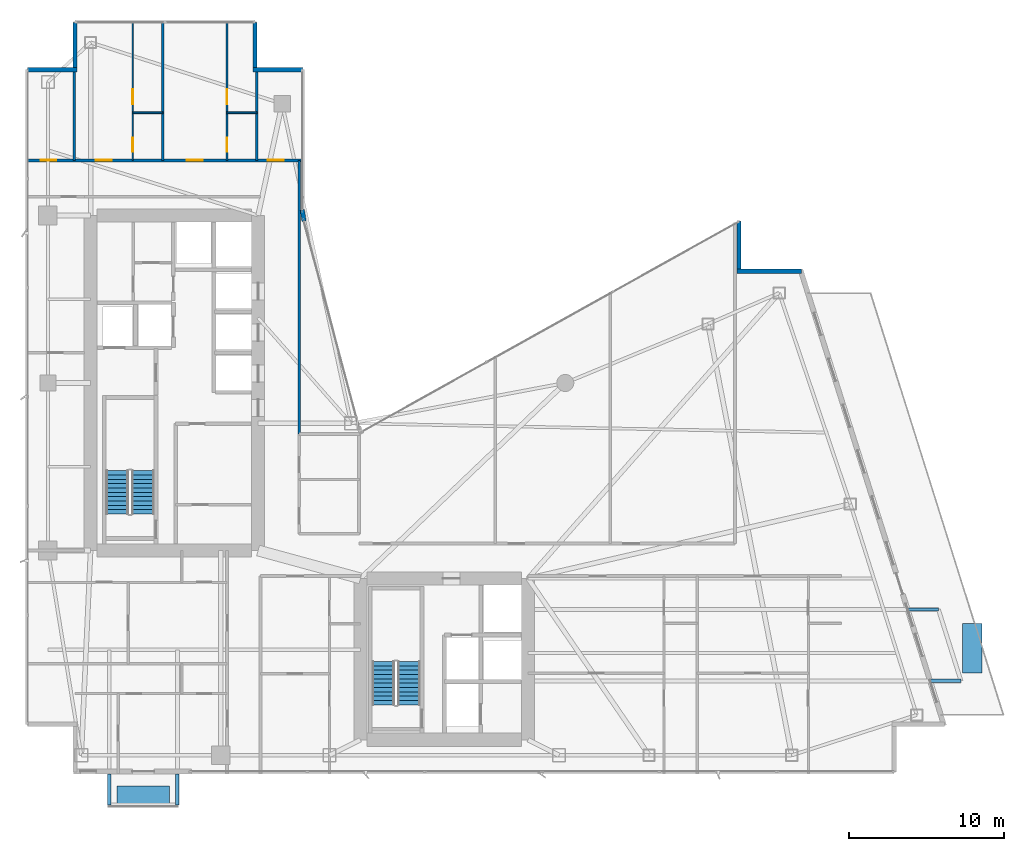
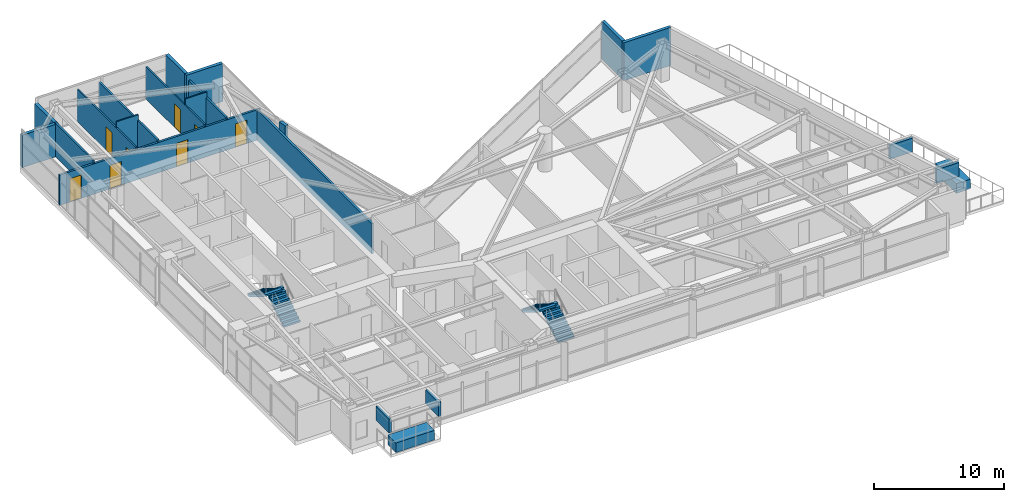
# One storey, part 25 of 28: 16 walls, 8 doors, 6 discrete accessories, 4 stair flights, 8 openings, 2 elements without a shape of their own.
"""IFC4 building model written with IfcOpenShell, lengths in metres."""

import ifcopenshell
import ifcopenshell.guid

model = None  # the IFC model being written
_history = None  # IfcOwnerHistory: only IFC2X3 demands one
_inside = {}  # id of a spatial element -> (the spatial element, [elements in it])
_under = {}  # id of a project, library or spatial element -> (it, [spatial elements below it])
_declared = {}  # id of a project -> (the project, [libraries it declares])
_typed = {}  # id of a type object -> (the type object, [elements of that type])
_made_of = {}  # id of a material, layer set ... -> (it, [elements and type objects made of it])


def new_model(schema):
    """Start an empty IFC model of exactly this schema.

    Asked for "IFC4X3", IfcOpenShell would pick the latest addendum, in which some entities
    have other attributes; the version numbers below select the first issue.
    IFC2X3 requires an IfcOwnerHistory on every rooted entity: one is made here for all.
    """
    global model, _history
    if schema == "IFC4X3":
        model = ifcopenshell.file(schema_version=(4, 3, 0, 0))
    else:
        model = ifcopenshell.file(schema=schema)
    _inside.clear()
    _under.clear()
    _declared.clear()
    _typed.clear()
    _made_of.clear()
    _history = None
    if model.schema == "IFC2X3":
        org = make("IfcOrganization", Name="unknown")
        user = make(
            "IfcPersonAndOrganization",
            ThePerson=make("IfcPerson", FamilyName="unknown"),
            TheOrganization=org,
        )
        app = make(
            "IfcApplication",
            ApplicationDeveloper=org,
            Version="unknown",
            ApplicationFullName="unknown",
            ApplicationIdentifier="unknown",
        )
        _history = make(
            "IfcOwnerHistory",
            OwningUser=user,
            OwningApplication=app,
            ChangeAction="ADDED",
            CreationDate=0,
        )
    return model


def make(cls, **values):
    """One entity of the class cls with the attributes given. An attribute that is None is left unset."""
    return model.create_entity(
        cls, **{name: value for name, value in values.items() if value is not None}
    )


def rooted(cls, **values):
    """An entity with a GlobalId (a new one), such as an element, a storey or a relation."""
    return make(cls, GlobalId=ifcopenshell.guid.new(), OwnerHistory=_history, **values)


def si_unit(unit_type, name, prefix=None):
    """IfcSIUnit, for example si_unit("LENGTHUNIT", "METRE", prefix="MILLI")."""
    return make("IfcSIUnit", UnitType=unit_type, Prefix=prefix, Name=name)


def assignment(units):
    """IfcUnitAssignment: the units of a project."""
    return None if units is None else make("IfcUnitAssignment", Units=units)


def point(xyz):
    """IfcCartesianPoint."""
    return None if xyz is None else make("IfcCartesianPoint", Coordinates=xyz)


def direction(xyz):
    """IfcDirection."""
    return None if xyz is None else make("IfcDirection", DirectionRatios=xyz)


def frame(location, z_axis=None, x_axis=None):
    """IfcAxis2Placement3D, a coordinate frame: its origin and axes. An axis left out is left unset."""
    return make(
        "IfcAxis2Placement3D",
        Location=point(location),
        Axis=direction(z_axis),
        RefDirection=direction(x_axis),
    )


def frame_2d(location, x_axis=None):
    """IfcAxis2Placement2D, a coordinate frame in the plane: its origin and x axis."""
    return make(
        "IfcAxis2Placement2D", Location=point(location), RefDirection=direction(x_axis)
    )


def origin():
    """The frame at (0, 0, 0) with its axes left unset."""
    return frame((0.0, 0.0, 0.0))


def origin_2d():
    """The frame at (0, 0) in the plane with its x axis left unset."""
    return frame_2d((0.0, 0.0))


def place(relative_to, where):
    """IfcLocalPlacement: puts the frame where relative to a parent placement (None: the world)."""
    return make(
        "IfcLocalPlacement", PlacementRelTo=relative_to, RelativePlacement=where
    )


def context(
    kind, dimensions, precision=None, world=None, true_north=None, identifier=None
):
    """IfcGeometricRepresentationContext, for example the 3D "Model" context."""
    return make(
        "IfcGeometricRepresentationContext",
        ContextIdentifier=identifier,
        ContextType=kind,
        CoordinateSpaceDimension=dimensions,
        Precision=precision,
        WorldCoordinateSystem=world,
        TrueNorth=true_north,
    )


def subcontext(parent, identifier, kind, view, scale=None):
    """IfcGeometricRepresentationSubContext, for example "Body" below "Model"."""
    return make(
        "IfcGeometricRepresentationSubContext",
        ContextIdentifier=identifier,
        ContextType=kind,
        ParentContext=parent,
        TargetScale=scale,
        TargetView=view,
    )


def project(units=None, contexts=None):
    """IfcProject with its units and contexts."""
    return rooted(
        "IfcProject",
        Name="project",
        RepresentationContexts=contexts,
        UnitsInContext=assignment(units),
    )


def spatial(cls, under=None, at=None, **own):
    """A site, building, storey or space (cls), placed at a placement, below another one or the project."""
    s = rooted(cls, ObjectPlacement=at, **own)
    if under is not None:
        _under.setdefault(under.id(), (under, []))[1].append(s)
    return s


def polyline(points):
    """IfcPolyline through the points."""
    return make("IfcPolyline", Points=[point(p) for p in points])


def profile(cls, at=None, kind="AREA", **sizes):
    """A parametric profile (cls). Its sizes go by their IFC names, for example OverallWidth=200.0."""
    return make(cls, ProfileType=kind, Position=at, **sizes)


def rectangle(**sizes):
    """IfcRectangleProfileDef."""
    return profile("IfcRectangleProfileDef", **sizes)


def outline(outer, holes=None, kind="AREA"):
    """IfcArbitraryClosedProfileDef: a profile drawn as a closed curve; with holes, ...WithVoids."""
    if holes is None:
        return make("IfcArbitraryClosedProfileDef", ProfileType=kind, OuterCurve=outer)
    return make(
        "IfcArbitraryProfileDefWithVoids",
        ProfileType=kind,
        OuterCurve=outer,
        InnerCurves=holes,
    )


def extrude(swept, where, along, depth):
    """IfcExtrudedAreaSolid: the profile swept, set in the frame where, extruded along a direction by depth."""
    return make(
        "IfcExtrudedAreaSolid",
        SweptArea=swept,
        Position=where,
        ExtrudedDirection=direction(along),
        Depth=depth,
    )


def shape(context_of_items, identifier, shape_type, items):
    """IfcShapeRepresentation: the items that make up one representation, for example the "Body"."""
    return make(
        "IfcShapeRepresentation",
        ContextOfItems=context_of_items,
        RepresentationIdentifier=identifier,
        RepresentationType=shape_type,
        Items=items,
    )


def material(Name=None, Category=None):
    """IfcMaterial."""
    return make("IfcMaterial", Name=Name, Category=Category)


def layer(
    of_material, thickness, ventilated=None, Name=None, Category=None, Priority=None
):
    """IfcMaterialLayer: one layer of a wall or slab, of a material (None: an air gap)."""
    return make(
        "IfcMaterialLayer",
        Material=of_material,
        LayerThickness=thickness,
        IsVentilated=ventilated,
        Name=Name,
        Category=Category,
        Priority=Priority,
    )


def layer_set(layers, Name=None):
    """IfcMaterialLayerSet."""
    return make("IfcMaterialLayerSet", MaterialLayers=layers, LayerSetName=Name)


def made_of(thing, what):
    """Note that an element or type object is made of a material, layer set ...; save() writes the relation."""
    if what is not None:
        _made_of.setdefault(what.id(), (what, []))[1].append(thing)
    return thing


def type_object(cls, material=None, **own):
    """A type object (cls), such as IfcWallType, which elements share."""
    return made_of(rooted(cls, **own), material)


def element(
    cls,
    number,
    at=None,
    inside=None,
    cuts=None,
    type_object=None,
    material=None,
    context=None,
    identifier="Body",
    shape_type=None,
    held_by="IfcProductDefinitionShape",
    body=None,
    shapes=None,
    **own,
):
    """One element of the class cls, such as IfcWall. Its Tag is "e" and its number.

    at: its placement. inside: the storey or other place that contains it. cuts: it is an
    opening in that element (IfcRelVoidsElement). A single representation is given by context,
    identifier, shape_type and body (its items); several are given by shapes. held_by: the class
    of the entity that holds the representations. save() writes the other relations.
    """
    e = rooted(cls, Tag="e%d" % number, ObjectPlacement=at, **own)
    if body is not None:
        shapes = [shape(context, identifier, shape_type, body)]
    if shapes is not None:
        e.Representation = make(held_by, Representations=shapes)
    if inside is not None:
        _inside.setdefault(inside.id(), (inside, []))[1].append(e)
    if cuts is not None:
        rooted(
            "IfcRelVoidsElement", RelatingBuildingElement=cuts, RelatedOpeningElement=e
        )
    if type_object is not None:
        _typed.setdefault(type_object.id(), (type_object, []))[1].append(e)
    return made_of(e, material)


def fill(opening, filler):
    """IfcRelFillsElement: the door or window that sits in an opening."""
    return rooted(
        "IfcRelFillsElement",
        RelatingOpeningElement=opening,
        RelatedBuildingElement=filler,
    )


def aggregate(whole, parts):
    """IfcRelAggregates: a whole, such as a stair, and the parts it consists of."""
    return rooted("IfcRelAggregates", RelatingObject=whole, RelatedObjects=parts)


def save(model, path):
    """Write the relations noted so far, then the file.

    IfcRelAggregates (storeys below a building ...), IfcRelContainedInSpatialStructure (elements
    in a storey), IfcRelDefinesByType, IfcRelAssociatesMaterial and IfcRelDeclares: one each for
    every whole, place, type object, material and project.
    """
    for whole, parts in _under.values():
        aggregate(whole, parts)
    for where, things in _inside.values():
        rooted(
            "IfcRelContainedInSpatialStructure",
            RelatedElements=things,
            RelatingStructure=where,
        )
    for kind, things in _typed.values():
        rooted("IfcRelDefinesByType", RelatedObjects=things, RelatingType=kind)
    for what, things in _made_of.values():
        rooted("IfcRelAssociatesMaterial", RelatedObjects=things, RelatingMaterial=what)
    for by, libraries in _declared.values():
        rooted("IfcRelDeclares", RelatingContext=by, RelatedDefinitions=libraries)
    model.write(path)


model = new_model("IFC4")

# Units and contexts
model_context = context("Model", 3, precision=1e-05, world=origin(), true_north=direction((0.0, 1.0)))
body_context = subcontext(model_context, "Body", "Model", "MODEL_VIEW")
ifc_project = project(units=[si_unit("LENGTHUNIT", "METRE"), si_unit("AREAUNIT", "SQUARE_METRE"), si_unit("VOLUMEUNIT", "CUBIC_METRE"), si_unit("PLANEANGLEUNIT", "RADIAN"), si_unit("MASSUNIT", "GRAM", prefix="KILO")], contexts=[model_context])

# Site, building, storey
site_placement = place(None, origin())
site = spatial("IfcSite", under=ifc_project, at=site_placement, CompositionType="ELEMENT")
building_placement = place(site_placement, origin())
building = spatial("IfcBuilding", under=site, at=building_placement, Name="Calvorn Quay Hotel", CompositionType="ELEMENT")
storey_placement = place(building_placement, frame((0.0, 0.0, 97.39990234375)))
storey = spatial("IfcBuildingStorey", under=building, at=storey_placement, Name="L23", CompositionType="ELEMENT", Elevation=97.39990234375)

# Wall, openings, doors
ifc_material_1 = material(Name="Acoustic Fireboard Steel-Stud Partition", Category="steel")
ifc_layer_1 = layer(ifc_material_1, 0.179931640625)
ifc_layer_set_1 = layer_set([ifc_layer_1], Name="WL-CORR-FIRE-180")
wall_type_1 = type_object("IfcWallType", Name="WL-CORR-FIRE-180", PredefinedType="PARTITIONING", material=ifc_layer_set_1)
wall_1_placement = place(storey_placement, frame((0.080078125, 41.949951171875, 0.0), z_axis=(0.0, 0.0, 1.0), x_axis=(1.0, 0.0, 0.0)))
wall_1 = element("IfcWall", 1, at=wall_1_placement, inside=storey, type_object=wall_type_1, Name="Partition Wall L23-WL-CORR-NW-N", PredefinedType="PARTITIONING", context=body_context, shape_type="SweptSolid", body=[
    extrude(rectangle(XDim=17.77001953125, YDim=0.179931640625, at=frame_2d((8.885009765625, 0.0))), origin(), (0.0, 0.0, 1.0), 2.840087890625),
])
opening_1_placement = place(wall_1_placement, frame((0.89990234375, 0.0, 0.0)))
opening_1 = element("IfcOpeningElement", 2, at=opening_1_placement, cuts=wall_1, Name="Opening D-L23-NWW", PredefinedType="OPENING", context=body_context, shape_type="SweptSolid", body=[
    extrude(rectangle(XDim=1.02001953125, YDim=2.199951171875, at=frame_2d((0.510009765625, 1.10009765625))), frame((0.0, 0.099853515625, 0.0), z_axis=(0.0, -1.0, 0.0), x_axis=(1.0, 0.0, 0.0)), (0.0, 0.0, 1.0), 0.199951171875),
])
opening_2_placement = place(wall_1_placement, frame((4.449951171875, 0.0, 0.0)))
opening_2 = element("IfcOpeningElement", 3, at=opening_2_placement, cuts=wall_1, Name="Opening D-L23-U04", PredefinedType="OPENING", context=body_context, shape_type="SweptSolid", body=[
    extrude(rectangle(XDim=1.02001953125, YDim=2.199951171875, at=frame_2d((0.510009765625, 1.10009765625))), frame((0.0, 0.099853515625, 0.0), z_axis=(0.0, -1.0, 0.0), x_axis=(1.0, 0.0, 0.0)), (0.0, 0.0, 1.0), 0.199951171875),
])
opening_3_placement = place(wall_1_placement, frame((10.330078125, 0.0, 0.0)))
opening_3 = element("IfcOpeningElement", 4, at=opening_3_placement, cuts=wall_1, Name="Opening D-L23-U05", PredefinedType="OPENING", context=body_context, shape_type="SweptSolid", body=[
    extrude(rectangle(XDim=1.02001953125, YDim=2.199951171875, at=frame_2d((0.510009765625, 1.10009765625))), frame((0.0, 0.099853515625, 0.0), z_axis=(0.0, -1.0, 0.0), x_axis=(1.0, 0.0, 0.0)), (0.0, 0.0, 1.0), 0.199951171875),
])
opening_4_placement = place(wall_1_placement, frame((15.550048828125, 0.0, 0.0)))
opening_4 = element("IfcOpeningElement", 5, at=opening_4_placement, cuts=wall_1, Name="Opening D-L23-NWE", PredefinedType="OPENING", context=body_context, shape_type="SweptSolid", body=[
    extrude(rectangle(XDim=1.02001953125, YDim=2.199951171875, at=frame_2d((0.510009765625, 1.10009765625))), frame((0.0, 0.099853515625, 0.0), z_axis=(0.0, -1.0, 0.0), x_axis=(1.0, 0.0, 0.0)), (0.0, 0.0, 1.0), 0.199951171875),
])
ifc_material_2 = material(Name="Solid-Core Walnut Veneer Hotel Fire Door")
door_type_1 = type_object("IfcDoorType", Name="DR-GUEST-ENTRY-1020", OperationType="NOTDEFINED", PredefinedType="DOOR", material=ifc_material_2)
door_1_placement = place(opening_1_placement, origin())
door_1 = element("IfcDoor", 6, at=door_1_placement, inside=storey, type_object=door_type_1, Name="West Corner Study Door (L23)", OperationType="SINGLE_SWING_LEFT", OverallHeight=2.199951171875, OverallWidth=1.02001953125, PredefinedType="DOOR", context=body_context, shape_type="SweptSolid", body=[
    extrude(rectangle(XDim=1.02001953125, YDim=2.199951171875, at=frame_2d((0.510009765625, 1.10009765625))), frame((0.0, 0.02490234375, 0.0), z_axis=(0.0, -1.0, 0.0), x_axis=(1.0, 0.0, 0.0)), (0.0, 0.0, 1.0), 0.050048828125),
])
fill(opening_1, door_1)
door_2_placement = place(opening_2_placement, origin())
door_2 = element("IfcDoor", 7, at=door_2_placement, inside=storey, type_object=door_type_1, Name="North-West Unit Door U04 (L23)", OperationType="SINGLE_SWING_RIGHT", OverallHeight=2.199951171875, OverallWidth=1.02001953125, PredefinedType="DOOR", context=body_context, shape_type="SweptSolid", body=[
    extrude(rectangle(XDim=1.02001953125, YDim=2.199951171875, at=frame_2d((0.510009765625, 1.10009765625))), frame((0.0, 0.02490234375, 0.0), z_axis=(0.0, -1.0, 0.0), x_axis=(1.0, 0.0, 0.0)), (0.0, 0.0, 1.0), 0.050048828125),
])
fill(opening_2, door_2)
door_3_placement = place(opening_3_placement, origin())
door_3 = element("IfcDoor", 8, at=door_3_placement, inside=storey, type_object=door_type_1, Name="North-West Unit Door U05 (L23)", OperationType="SINGLE_SWING_LEFT", OverallHeight=2.199951171875, OverallWidth=1.02001953125, PredefinedType="DOOR", context=body_context, shape_type="SweptSolid", body=[
    extrude(rectangle(XDim=1.02001953125, YDim=2.199951171875, at=frame_2d((0.510009765625, 1.10009765625))), frame((0.0, 0.02490234375, 0.0), z_axis=(0.0, -1.0, 0.0), x_axis=(1.0, 0.0, 0.0)), (0.0, 0.0, 1.0), 0.050048828125),
])
fill(opening_3, door_3)
door_4_placement = place(opening_4_placement, origin())
door_4 = element("IfcDoor", 9, at=door_4_placement, inside=storey, type_object=door_type_1, Name="Inner Court Study Door (L23)", OperationType="SINGLE_SWING_RIGHT", OverallHeight=2.199951171875, OverallWidth=1.02001953125, PredefinedType="DOOR", context=body_context, shape_type="SweptSolid", body=[
    extrude(rectangle(XDim=1.02001953125, YDim=2.199951171875, at=frame_2d((0.510009765625, 1.10009765625))), frame((0.0, 0.02490234375, 0.0), z_axis=(0.0, -1.0, 0.0), x_axis=(1.0, 0.0, 0.0)), (0.0, 0.0, 1.0), 0.050048828125),
])
fill(opening_4, door_4)

# Walls
wall_2_placement = place(storey_placement, frame((17.64990234375, 24.300048828125, 0.0), z_axis=(0.0, 0.0, 1.0), x_axis=(0.0, 1.0, 0.0)))
element("IfcWall", 10, at=wall_2_placement, inside=storey, type_object=wall_type_1, Name="Partition Wall L23-WL-NW-CLOSURE-E", PredefinedType="PARTITIONING", context=body_context, shape_type="SweptSolid", body=[
    extrude(rectangle(XDim=17.64990234375, YDim=0.179931640625, at=frame_2d((8.824951171875, 0.0))), origin(), (0.0, 0.0, 1.0), 2.840087890625),
])
ifc_material_3 = material(Name="Moisture-Resistant Tile-Backed Partition")
ifc_layer_2 = layer(ifc_material_3, 0.125)
ifc_layer_set_2 = layer_set([ifc_layer_2], Name="WL-ENSUITE-125")
wall_type_2 = type_object("IfcWallType", Name="WL-ENSUITE-125", PredefinedType="PARTITIONING", material=ifc_layer_set_2)
wall_3_placement = place(storey_placement, frame((6.919921875, 45.02001953125, 0.0), z_axis=(0.0, 0.0, 1.0), x_axis=(1.0, 0.0, 0.0)))
element("IfcWall", 11, at=wall_3_placement, inside=storey, type_object=wall_type_2, Name="Partition Wall L23-WL-U04-BDV", PredefinedType="PARTITIONING", context=body_context, shape_type="SweptSolid", body=[
    extrude(rectangle(XDim=1.93017578125, YDim=0.125, at=frame_2d((0.965087890625, 0.0))), origin(), (0.0, 0.0, 1.0), 3.56005859375),
])

# Wall, openings, doors
wall_4_placement = place(storey_placement, frame((6.919921875, 41.949951171875, 0.0), z_axis=(0.0, 0.0, 1.0), x_axis=(0.0, 1.0, 0.0)))
wall_4 = element("IfcWall", 12, at=wall_4_placement, inside=storey, type_object=wall_type_2, Name="Partition Wall L23-WL-U04-BV", PredefinedType="PARTITIONING", context=body_context, shape_type="SweptSolid", body=[
    extrude(rectangle(XDim=8.989990234375, YDim=0.125, at=frame_2d((4.4951171875, 0.0))), origin(), (0.0, 0.0, 1.0), 3.0400390625),
])
opening_5_placement = place(wall_4_placement, frame((0.550048828125, 0.0, 0.0)))
opening_5 = element("IfcOpeningElement", 13, at=opening_5_placement, cuts=wall_4, Name="Opening D-L23-E04", PredefinedType="OPENING", context=body_context, shape_type="SweptSolid", body=[
    extrude(rectangle(XDim=0.89990234375, YDim=2.14990234375, at=frame_2d((0.449951171875, 1.074951171875))), frame((0.0, 0.072509765625, 0.0), z_axis=(0.0, -1.0, 0.0), x_axis=(1.0, 0.0, 0.0)), (0.0, 0.0, 1.0), 0.14501953125),
])
opening_6_placement = place(wall_4_placement, frame((3.6201171875, 0.0, 0.0)))
opening_6 = element("IfcOpeningElement", 14, at=opening_6_placement, cuts=wall_4, Name="Opening D-L23-S04", PredefinedType="OPENING", context=body_context, shape_type="SweptSolid", body=[
    extrude(rectangle(XDim=0.9599609375, YDim=2.199951171875, at=frame_2d((0.47998046875, 1.10009765625))), frame((0.0, 0.072509765625, 0.0), z_axis=(0.0, -1.0, 0.0), x_axis=(1.0, 0.0, 0.0)), (0.0, 0.0, 1.0), 0.14501953125),
])
ifc_material_4 = material(Name="Moisture-Sealed Timber En-Suite Door", Category="wood")
door_type_2 = type_object("IfcDoorType", Name="DR-ENSUITE-900", OperationType="NOTDEFINED", PredefinedType="DOOR", material=ifc_material_4)
door_5_placement = place(opening_5_placement, origin())
door_5 = element("IfcDoor", 15, at=door_5_placement, inside=storey, type_object=door_type_2, Name="En-Suite Door 04", OperationType="SINGLE_SWING_LEFT", OverallHeight=2.14990234375, OverallWidth=0.89990234375, PredefinedType="DOOR", context=body_context, shape_type="SweptSolid", body=[
    extrude(rectangle(XDim=0.89990234375, YDim=2.14990234375, at=frame_2d((0.449951171875, 1.074951171875))), frame((0.0, 0.02490234375, 0.0), z_axis=(0.0, -1.0, 0.0), x_axis=(1.0, 0.0, 0.0)), (0.0, 0.0, 1.0), 0.050048828125),
])
fill(opening_5, door_5)
ifc_material_5 = material(Name="Solid Timber Internal Suite Door", Category="wood")
door_type_3 = type_object("IfcDoorType", Name="DR-SUITE-INT-960", OperationType="NOTDEFINED", PredefinedType="DOOR", material=ifc_material_5)
door_6_placement = place(opening_6_placement, origin())
door_6 = element("IfcDoor", 16, at=door_6_placement, inside=storey, type_object=door_type_3, Name="Children Play Nursery Door 04", OperationType="SINGLE_SWING_RIGHT", OverallHeight=2.199951171875, OverallWidth=0.9599609375, PredefinedType="DOOR", context=body_context, shape_type="SweptSolid", body=[
    extrude(rectangle(XDim=0.9599609375, YDim=2.199951171875, at=frame_2d((0.47998046875, 1.10009765625))), frame((0.0, 0.02490234375, 0.0), z_axis=(0.0, -1.0, 0.0), x_axis=(1.0, 0.0, 0.0)), (0.0, 0.0, 1.0), 0.050048828125),
])
fill(opening_6, door_6)

# Wall
wall_5_placement = place(storey_placement, frame((12.989990234375, 45.02001953125, 0.0), z_axis=(0.0, 0.0, 1.0), x_axis=(1.0, 0.0, 0.0)))
element("IfcWall", 17, at=wall_5_placement, inside=storey, type_object=wall_type_2, Name="Partition Wall L23-WL-U05-BDV", PredefinedType="PARTITIONING", context=body_context, shape_type="SweptSolid", body=[
    extrude(rectangle(XDim=1.929931640625, YDim=0.125, at=frame_2d((0.96484375, 0.0))), origin(), (0.0, 0.0, 1.0), 3.56005859375),
])

# Wall, openings, doors
wall_6_placement = place(storey_placement, frame((12.989990234375, 41.949951171875, 0.0), z_axis=(0.0, 0.0, 1.0), x_axis=(0.0, 1.0, 0.0)))
wall_6 = element("IfcWall", 18, at=wall_6_placement, inside=storey, type_object=wall_type_2, Name="Partition Wall L23-WL-U05-BV", PredefinedType="PARTITIONING", context=body_context, shape_type="SweptSolid", body=[
    extrude(rectangle(XDim=8.989990234375, YDim=0.125, at=frame_2d((4.4951171875, 0.0))), origin(), (0.0, 0.0, 1.0), 3.0400390625),
])
opening_7_placement = place(wall_6_placement, frame((0.550048828125, 0.0, 0.0)))
opening_7 = element("IfcOpeningElement", 19, at=opening_7_placement, cuts=wall_6, Name="Opening D-L23-E05", PredefinedType="OPENING", context=body_context, shape_type="SweptSolid", body=[
    extrude(rectangle(XDim=0.89990234375, YDim=2.14990234375, at=frame_2d((0.449951171875, 1.074951171875))), frame((0.0, 0.072509765625, 0.0), z_axis=(0.0, -1.0, 0.0), x_axis=(1.0, 0.0, 0.0)), (0.0, 0.0, 1.0), 0.14501953125),
])
opening_8_placement = place(wall_6_placement, frame((3.6201171875, 0.0, 0.0)))
opening_8 = element("IfcOpeningElement", 20, at=opening_8_placement, cuts=wall_6, Name="Opening D-L23-S05", PredefinedType="OPENING", context=body_context, shape_type="SweptSolid", body=[
    extrude(rectangle(XDim=0.9599609375, YDim=2.199951171875, at=frame_2d((0.47998046875, 1.10009765625))), frame((0.0, 0.072509765625, 0.0), z_axis=(0.0, -1.0, 0.0), x_axis=(1.0, 0.0, 0.0)), (0.0, 0.0, 1.0), 0.14501953125),
])
door_7_placement = place(opening_7_placement, origin())
door_7 = element("IfcDoor", 21, at=door_7_placement, inside=storey, type_object=door_type_2, Name="En-Suite Door 05", OperationType="SINGLE_SWING_LEFT", OverallHeight=2.14990234375, OverallWidth=0.89990234375, PredefinedType="DOOR", context=body_context, shape_type="SweptSolid", body=[
    extrude(rectangle(XDim=0.89990234375, YDim=2.14990234375, at=frame_2d((0.449951171875, 1.074951171875))), frame((0.0, 0.02490234375, 0.0), z_axis=(0.0, -1.0, 0.0), x_axis=(1.0, 0.0, 0.0)), (0.0, 0.0, 1.0), 0.050048828125),
])
fill(opening_7, door_7)
door_8_placement = place(opening_8_placement, origin())
door_8 = element("IfcDoor", 22, at=door_8_placement, inside=storey, type_object=door_type_3, Name="Children Play Nursery Door 05", OperationType="SINGLE_SWING_RIGHT", OverallHeight=2.199951171875, OverallWidth=0.9599609375, PredefinedType="DOOR", context=body_context, shape_type="SweptSolid", body=[
    extrude(rectangle(XDim=0.9599609375, YDim=2.199951171875, at=frame_2d((0.47998046875, 1.10009765625))), frame((0.0, 0.02490234375, 0.0), z_axis=(0.0, -1.0, 0.0), x_axis=(1.0, 0.0, 0.0)), (0.0, 0.0, 1.0), 0.050048828125),
])
fill(opening_8, door_8)

# Walls
ifc_material_6 = material(Name="Concrete C40", Category="concrete")
ifc_layer_3 = layer(ifc_material_6, 0.320068359375)
ifc_layer_set_3 = layer_set([ifc_layer_3], Name="WL-EXT-SPANDREL-320")
wall_type_3 = type_object("IfcWallType", Name="WL-EXT-SPANDREL-320", PredefinedType="SOLIDWALL", material=ifc_layer_set_3)
wall_7_placement = place(storey_placement, frame((17.9619140625, 38.030029296875, 0.0), z_axis=(0.0, 0.0, 1.0), x_axis=(-0.15141125477, 0.988470855377, 0.0)))
element("IfcWall", 23, at=wall_7_placement, inside=storey, type_object=wall_type_3, Name="Inner Court Corner Pier L23-ICJ2", PredefinedType="SOLIDWALL", context=body_context, shape_type="SweptSolid", body=[
    extrude(rectangle(XDim=0.738525390625, YDim=0.280029296875, at=frame_2d((0.369140625, 0.0))), origin(), (0.0, 0.0, 1.0), 3.56005859375),
])
wall_8_placement = place(storey_placement, frame((50.0400390625, 34.800048828125, 0.0), z_axis=(0.0, 0.0, 1.0), x_axis=(-1.0, 0.0, 0.0)))
element("IfcWall", 24, at=wall_8_placement, inside=storey, type_object=wall_type_3, Name="Notched Corner Spandrel L23-NE1", PredefinedType="SOLIDWALL", context=body_context, shape_type="SweptSolid", body=[
    extrude(rectangle(XDim=4.179931640625, YDim=0.280029296875, at=frame_2d((2.08984375, 0.0))), origin(), (0.0, 0.0, 1.0), 3.56005859375),
])
wall_9_placement = place(storey_placement, frame((46.0, 34.93994140625, 0.0), z_axis=(0.0, 0.0, 1.0), x_axis=(0.0, 1.0, 0.0)))
element("IfcWall", 25, at=wall_9_placement, inside=storey, type_object=wall_type_3, Name="Notched Corner Spandrel L23-NE2", PredefinedType="SOLIDWALL", context=body_context, shape_type="SweptSolid", body=[
    extrude(rectangle(XDim=3.10009765625, YDim=0.280029296875, at=frame_2d((1.550048828125, 0.0))), origin(), (0.0, 0.0, 1.0), 3.56005859375),
])
wall_10_placement = place(storey_placement, frame((17.89990234375, 47.800048828125, 0.0), z_axis=(0.0, 0.0, 1.0), x_axis=(-1.0, 0.0, 0.0)))
element("IfcWall", 26, at=wall_10_placement, inside=storey, type_object=wall_type_3, Name="Notched Corner Spandrel L23-NWE1", PredefinedType="SOLIDWALL", context=body_context, shape_type="SweptSolid", body=[
    extrude(rectangle(XDim=3.239990234375, YDim=0.280029296875, at=frame_2d((1.6201171875, 0.0))), origin(), (0.0, 0.0, 1.0), 3.56005859375),
])
wall_11_placement = place(storey_placement, frame((14.800048828125, 47.93994140625, 0.0), z_axis=(0.0, 0.0, 1.0), x_axis=(0.0, 1.0, 0.0)))
element("IfcWall", 27, at=wall_11_placement, inside=storey, type_object=wall_type_3, Name="Notched Corner Spandrel L23-NWE2", PredefinedType="SOLIDWALL", context=body_context, shape_type="SweptSolid", body=[
    extrude(rectangle(XDim=2.93994140625, YDim=0.280029296875, at=frame_2d((1.469970703125, 0.0))), origin(), (0.0, 0.0, 1.0), 3.56005859375),
])
wall_12_placement = place(storey_placement, frame((3.199951171875, 50.8798828125, 0.0), z_axis=(0.0, 0.0, 1.0), x_axis=(0.0, -1.0, 0.0)))
element("IfcWall", 28, at=wall_12_placement, inside=storey, type_object=wall_type_3, Name="Notched Corner Spandrel L23-NW1", PredefinedType="SOLIDWALL", context=body_context, shape_type="SweptSolid", body=[
    extrude(rectangle(XDim=2.93994140625, YDim=0.280029296875, at=frame_2d((1.469970703125, 0.0))), origin(), (0.0, 0.0, 1.0), 3.0400390625),
])
wall_13_placement = place(storey_placement, frame((3.340087890625, 47.800048828125, 0.0), z_axis=(0.0, 0.0, 1.0), x_axis=(-1.0, 0.0, 0.0)))
element("IfcWall", 29, at=wall_13_placement, inside=storey, type_object=wall_type_3, Name="Notched Corner Spandrel L23-NW2", PredefinedType="SOLIDWALL", context=body_context, shape_type="SweptSolid", body=[
    extrude(rectangle(XDim=3.219970703125, YDim=0.280029296875, at=frame_2d((1.60986328125, 0.0))), origin(), (0.0, 0.0, 1.0), 3.0400390625),
])
ifc_material_7 = material(Name="Double-Stud Acoustic Gypsum Partition")
ifc_layer_4 = layer(ifc_material_7, 0.159912109375)
ifc_layer_set_4 = layer_set([ifc_layer_4], Name="WL-INTERSUITE-160")
wall_type_4 = type_object("IfcWallType", Name="WL-INTERSUITE-160", PredefinedType="PARTITIONING", material=ifc_layer_set_4)
wall_14_placement = place(storey_placement, frame((3.14990234375, 41.949951171875, 0.0), z_axis=(0.0, 0.0, 1.0), x_axis=(0.0, 1.0, 0.0)))
element("IfcWall", 30, at=wall_14_placement, inside=storey, type_object=wall_type_4, Name="Partition Wall L23-WL-NW-DIV-W0", PredefinedType="PARTITIONING", context=body_context, shape_type="SweptSolid", body=[
    extrude(rectangle(XDim=5.85009765625, YDim=0.159912109375, at=frame_2d((2.925048828125, 0.0))), origin(), (0.0, 0.0, 1.0), 3.14013671875),
])
wall_15_placement = place(storey_placement, frame((14.919921875, 41.949951171875, 0.0), z_axis=(0.0, 0.0, 1.0), x_axis=(0.0, 1.0, 0.0)))
element("IfcWall", 31, at=wall_15_placement, inside=storey, type_object=wall_type_4, Name="Partition Wall L23-WL-NW-DIV-E0", PredefinedType="PARTITIONING", context=body_context, shape_type="SweptSolid", body=[
    extrude(rectangle(XDim=5.85009765625, YDim=0.159912109375, at=frame_2d((2.925048828125, 0.0))), origin(), (0.0, 0.0, 1.0), 3.0400390625),
])
wall_16_placement = place(storey_placement, frame((8.85009765625, 41.949951171875, 0.0), z_axis=(0.0, 0.0, 1.0), x_axis=(0.0, 1.0, 0.0)))
element("IfcWall", 32, at=wall_16_placement, inside=storey, type_object=wall_type_4, Name="Partition Wall L23-WL-NW-DIV-1", PredefinedType="PARTITIONING", context=body_context, shape_type="SweptSolid", body=[
    extrude(rectangle(XDim=8.989990234375, YDim=0.159912109375, at=frame_2d((4.4951171875, 0.0))), origin(), (0.0, 0.0, 1.0), 3.0400390625),
])

# Stair, stair flights
ifc_material_8 = material(Name="Concrete C40", Category="concrete")
stair_type = type_object("IfcStairType", Name="STR-CORE-DOGLEG", PredefinedType="HALF_TURN_STAIR", material=ifc_material_8)
stair_1_placement = place(storey_placement, origin())
stair_1 = element("IfcStair", 33, at=stair_1_placement, inside=storey, type_object=stair_type, Name="L23 ST-W", PredefinedType="HALF_TURN_STAIR")
ifc_material_9 = material(Name="Concrete C40", Category="concrete")
stair_flight_type = type_object("IfcStairFlightType", Name="FLT-CORE-1550", PredefinedType="STRAIGHT", material=ifc_material_9)
stair_flight_1_placement = place(storey_placement, frame((7.574951171875, 19.14990234375, 0.0), z_axis=(0.0, 0.0, 1.0), x_axis=(0.0, 1.0, 0.0)))
stair_flight_1 = element("IfcStairFlight", 34, at=stair_flight_1_placement, type_object=stair_flight_type, Name="ST-W flight 1", NumberOfRisers=11, NumberOfTreads=10, PredefinedType="STRAIGHT", RiserHeight=0.172727273, TreadLength=0.28, context=body_context, shape_type="SweptSolid", body=[
    extrude(outline(polyline([(0.0, 0.0), (0.0, 0.172607421875), (0.280029296875, 0.172607421875), (0.280029296875, 0.345458984375), (0.56005859375, 0.345458984375), (0.56005859375, 0.51806640625), (0.840087890625, 0.51806640625), (0.840087890625, 0.69091796875), (1.1201171875, 0.69091796875), (1.1201171875, 0.863525390625), (1.39990234375, 0.863525390625), (1.39990234375, 1.036376953125), (1.679931640625, 1.036376953125), (1.679931640625, 1.208984375), (1.9599609375, 1.208984375), (1.9599609375, 1.3818359375), (2.239990234375, 1.3818359375), (2.239990234375, 1.554443359375), (2.52001953125, 1.554443359375), (2.52001953125, 1.727294921875), (2.800048828125, 1.727294921875), (2.800048828125, 1.89990234375), (2.800048828125, 1.551025390625), (0.285400390625, 0.0), (0.0, 0.0)])), frame((0.0, 0.72509765625, 0.0), z_axis=(0.0, -1.0, 0.0), x_axis=(1.0, 0.0, 0.0)), (0.0, 0.0, 1.0), 1.449951171875),
])
stair_flight_2_placement = place(storey_placement, frame((5.925048828125, 21.949951171875, 1.900146484375), z_axis=(0.0, 0.0, 1.0), x_axis=(0.0, -1.0, 0.0)))
stair_flight_2 = element("IfcStairFlight", 35, at=stair_flight_2_placement, type_object=stair_flight_type, Name="ST-W flight 2", NumberOfRisers=11, NumberOfTreads=10, PredefinedType="STRAIGHT", RiserHeight=0.172727273, TreadLength=0.28, context=body_context, shape_type="SweptSolid", body=[
    extrude(outline(polyline([(0.0, 0.0), (0.0, 0.172607421875), (0.280029296875, 0.172607421875), (0.280029296875, 0.345458984375), (0.56005859375, 0.345458984375), (0.56005859375, 0.51806640625), (0.840087890625, 0.51806640625), (0.840087890625, 0.69091796875), (1.1201171875, 0.69091796875), (1.1201171875, 0.863525390625), (1.39990234375, 0.863525390625), (1.39990234375, 1.036376953125), (1.679931640625, 1.036376953125), (1.679931640625, 1.208984375), (1.9599609375, 1.208984375), (1.9599609375, 1.3818359375), (2.239990234375, 1.3818359375), (2.239990234375, 1.554443359375), (2.52001953125, 1.554443359375), (2.52001953125, 1.727294921875), (2.800048828125, 1.727294921875), (2.800048828125, 1.89990234375), (2.800048828125, 1.551025390625), (0.285400390625, 0.0), (0.0, 0.0)])), frame((0.0, 0.72509765625, 0.0), z_axis=(0.0, -1.0, 0.0), x_axis=(1.0, 0.0, 0.0)), (0.0, 0.0, 1.0), 1.449951171875),
])
aggregate(stair_1, [stair_flight_1, stair_flight_2])

stair_2_placement = place(storey_placement, origin())
stair_2 = element("IfcStair", 36, at=stair_2_placement, inside=storey, type_object=stair_type, Name="L23 ST-E", PredefinedType="HALF_TURN_STAIR")
stair_flight_3_placement = place(storey_placement, frame((24.72509765625, 6.85009765625, 0.0), z_axis=(0.0, 0.0, 1.0), x_axis=(0.0, 1.0, 0.0)))
stair_flight_3 = element("IfcStairFlight", 37, at=stair_flight_3_placement, type_object=stair_flight_type, Name="ST-E flight 1", NumberOfRisers=11, NumberOfTreads=10, PredefinedType="STRAIGHT", RiserHeight=0.172727273, TreadLength=0.28, context=body_context, shape_type="SweptSolid", body=[
    extrude(outline(polyline([(0.0, 0.0), (0.0, 0.172607421875), (0.280029296875, 0.172607421875), (0.280029296875, 0.345458984375), (0.56005859375, 0.345458984375), (0.56005859375, 0.51806640625), (0.840087890625, 0.51806640625), (0.840087890625, 0.69091796875), (1.1201171875, 0.69091796875), (1.1201171875, 0.863525390625), (1.39990234375, 0.863525390625), (1.39990234375, 1.036376953125), (1.679931640625, 1.036376953125), (1.679931640625, 1.208984375), (1.9599609375, 1.208984375), (1.9599609375, 1.3818359375), (2.239990234375, 1.3818359375), (2.239990234375, 1.554443359375), (2.52001953125, 1.554443359375), (2.52001953125, 1.727294921875), (2.800048828125, 1.727294921875), (2.800048828125, 1.89990234375), (2.800048828125, 1.551025390625), (0.285400390625, 0.0), (0.0, 0.0)])), frame((0.0, 0.72509765625, 0.0), z_axis=(0.0, -1.0, 0.0), x_axis=(1.0, 0.0, 0.0)), (0.0, 0.0, 1.0), 1.449951171875),
])
stair_flight_4_placement = place(storey_placement, frame((23.074951171875, 9.64990234375, 1.900146484375), z_axis=(0.0, 0.0, 1.0), x_axis=(0.0, -1.0, 0.0)))
stair_flight_4 = element("IfcStairFlight", 38, at=stair_flight_4_placement, type_object=stair_flight_type, Name="ST-E flight 2", NumberOfRisers=11, NumberOfTreads=10, PredefinedType="STRAIGHT", RiserHeight=0.172727273, TreadLength=0.28, context=body_context, shape_type="SweptSolid", body=[
    extrude(outline(polyline([(0.0, 0.0), (0.0, 0.172607421875), (0.280029296875, 0.172607421875), (0.280029296875, 0.345458984375), (0.56005859375, 0.345458984375), (0.56005859375, 0.51806640625), (0.840087890625, 0.51806640625), (0.840087890625, 0.69091796875), (1.1201171875, 0.69091796875), (1.1201171875, 0.863525390625), (1.39990234375, 0.863525390625), (1.39990234375, 1.036376953125), (1.679931640625, 1.036376953125), (1.679931640625, 1.208984375), (1.9599609375, 1.208984375), (1.9599609375, 1.3818359375), (2.239990234375, 1.3818359375), (2.239990234375, 1.554443359375), (2.52001953125, 1.554443359375), (2.52001953125, 1.727294921875), (2.800048828125, 1.727294921875), (2.800048828125, 1.89990234375), (2.800048828125, 1.551025390625), (0.285400390625, 0.0), (0.0, 0.0)])), frame((0.0, 0.72509765625, 0.0), z_axis=(0.0, -1.0, 0.0), x_axis=(1.0, 0.0, 0.0)), (0.0, 0.0, 1.0), 1.449951171875),
])
aggregate(stair_2, [stair_flight_3, stair_flight_4])

# Discrete accessories
ifc_material_10 = material(Name="Steel Q355B", Category="steel")
discrete_accessory_type_1 = type_object("IfcDiscreteAccessoryType", Name="ACC-BALC-STRUT", PredefinedType="BRACKET", material=ifc_material_10)
for number, where, z_axis, x_axis, name in (
    (39, (59.31298828125, 8.39990234375, 2.01513671875), (0.0, 0.0, 1.0), (1.0, 0.0, 0.0), "Exterior Balcony Steel Bracket L24-BALC-E-A"),
    (40, (57.863037109375, 13.0, 2.01513671875), (0.0, 0.0, 1.0), (1.0, 0.0, 0.0), "Exterior Balcony Steel Bracket L24-BALC-E-B"),
):
    element("IfcDiscreteAccessory", number, at=place(storey_placement, frame(where, z_axis=z_axis, x_axis=x_axis)), inside=storey, type_object=discrete_accessory_type_1, Name=name, PredefinedType="BRACKET", context=body_context, shape_type="SweptSolid", body=[
        extrude(rectangle(XDim=1.989990234375, YDim=0.219970703125, at=origin_2d()), origin(), (0.0, 0.0, 1.0), 1.300048828125),
    ])
for number, where, z_axis, x_axis, name in (
    (41, (5.39990234375, 1.405029296875, 2.01513671875), (0.0, 0.0, 1.0), (1.0, 0.0, 0.0), "Exterior Balcony Steel Bracket L24-BALC-S-A"),
    (42, (9.800048828125, 1.405029296875, 2.01513671875), (0.0, 0.0, 1.0), (1.0, 0.0, 0.0), "Exterior Balcony Steel Bracket L24-BALC-S-B"),
):
    element("IfcDiscreteAccessory", number, at=place(storey_placement, frame(where, z_axis=z_axis, x_axis=x_axis)), inside=storey, type_object=discrete_accessory_type_1, Name=name, PredefinedType="BRACKET", context=body_context, shape_type="SweptSolid", body=[
        extrude(rectangle(XDim=0.219970703125, YDim=1.989990234375, at=origin_2d()), origin(), (0.0, 0.0, 1.0), 1.300048828125),
    ])
ifc_material_11 = material(Name="Precast concrete C40", Category="concrete")
discrete_accessory_type_2 = type_object("IfcDiscreteAccessoryType", Name="ACC-TREE-PLANTER", PredefinedType="USERDEFINED", material=ifc_material_11)
discrete_accessory_1_placement = place(storey_placement, frame((7.60009765625, 0.989990234375, 0.000244140625), z_axis=(0.0, 0.0, 1.0), x_axis=(1.0, 0.0, 0.0)))
element("IfcDiscreteAccessory", 43, at=discrete_accessory_1_placement, inside=storey, type_object=discrete_accessory_type_2, Name="Subtropical Tree Structural Planter L23-BALC-S", ObjectType="PLANTER", PredefinedType="USERDEFINED", context=body_context, shape_type="SweptSolid", body=[
    extrude(rectangle(XDim=3.39990234375, YDim=1.25, at=origin_2d()), origin(), (0.0, 0.0, 1.0), 0.89990234375),
])
discrete_accessory_2_placement = place(storey_placement, frame((61.0458984375, 10.5, 0.000244140625), z_axis=(0.0, 0.0, 1.0), x_axis=(1.0, 0.0, 0.0)))
element("IfcDiscreteAccessory", 44, at=discrete_accessory_2_placement, inside=storey, type_object=discrete_accessory_type_2, Name="Sawtooth Terrace Tree Planter (L23)", ObjectType="PLANTER", PredefinedType="USERDEFINED", context=body_context, shape_type="SweptSolid", body=[
    extrude(rectangle(XDim=1.25, YDim=3.199951171875, at=origin_2d()), origin(), (0.0, 0.0, 1.0), 0.89990234375),
])

save(model, "model.ifc")
